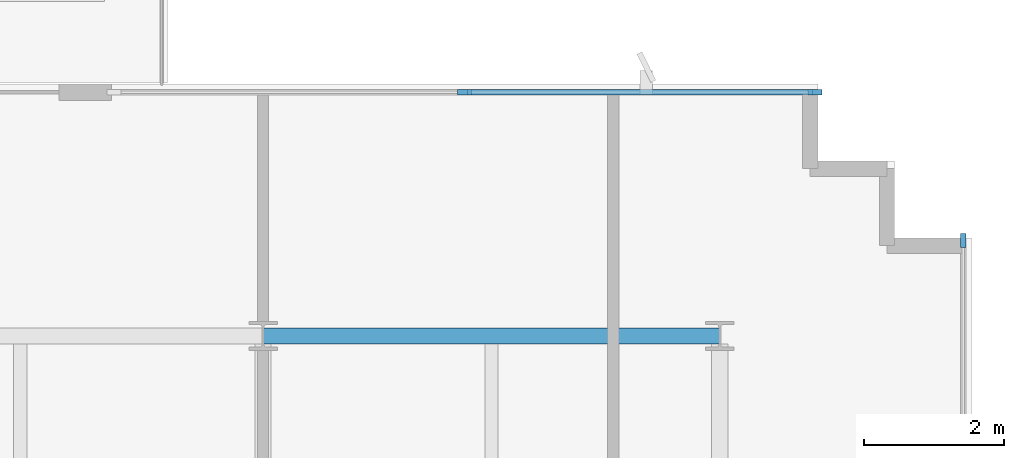
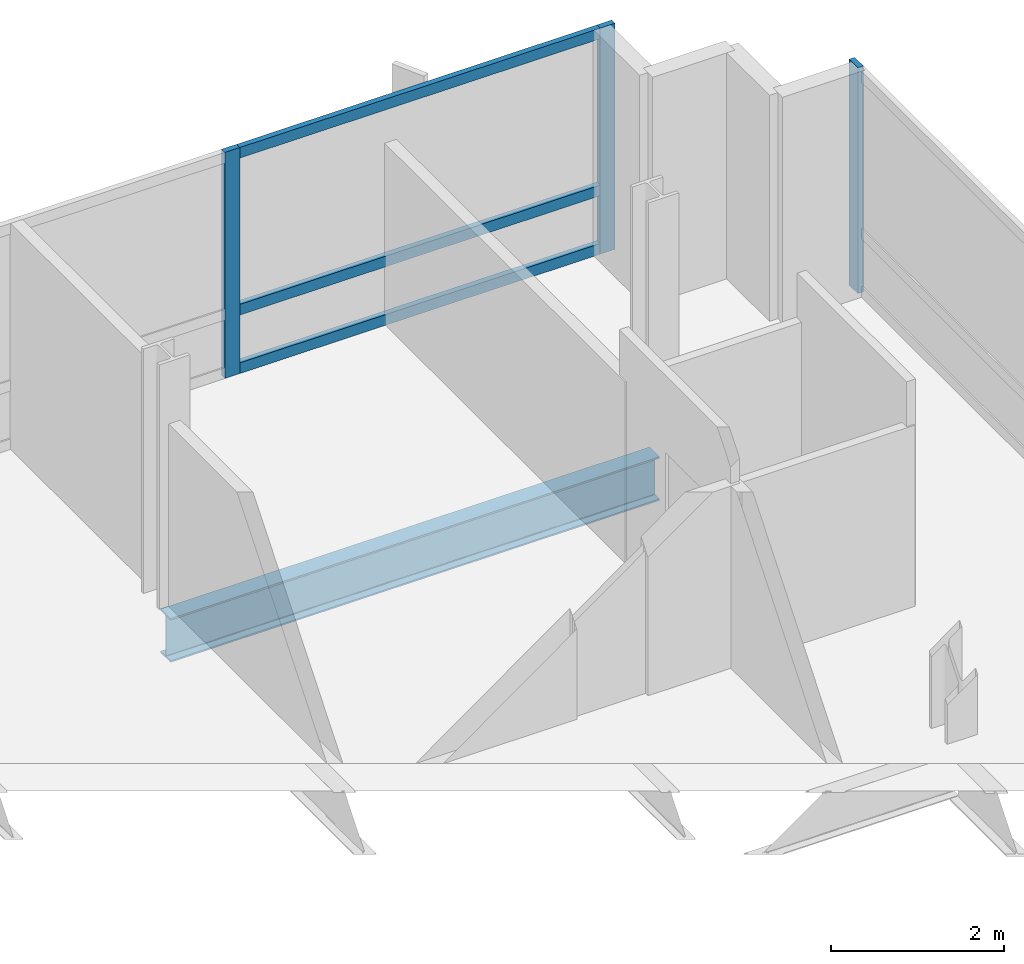
# One storey, part 6 of 14: 6 members, 1 beam, 2 elements without a shape of their own.
"""IFC4 building model written with IfcOpenShell, lengths in metres."""

from ifc_helpers import new_model, si_unit, direction, frame, origin, origin_2d, place, context, subcontext, project, spatial, rectangle, i_section, extrude, material, material_profile, profile_set, type_object, element, aggregate, save


model = new_model("IFC4")

# Units and contexts
model_context = context("Model", 3, precision=1e-05, world=origin(), true_north=direction((0.0, 1.0)))
body_context = subcontext(model_context, "Body", "Model", "MODEL_VIEW")
ifc_project = project(units=[si_unit("LENGTHUNIT", "METRE"), si_unit("AREAUNIT", "SQUARE_METRE"), si_unit("VOLUMEUNIT", "CUBIC_METRE"), si_unit("PLANEANGLEUNIT", "RADIAN"), si_unit("MASSUNIT", "GRAM", prefix="KILO")], contexts=[model_context])

# Site, building, storey
site_placement = place(None, origin())
site = spatial("IfcSite", under=ifc_project, at=site_placement, CompositionType="ELEMENT")
building_placement = place(site_placement, origin())
building = spatial("IfcBuilding", under=site, at=building_placement, Name="Solmavex Isthmus Hotel", CompositionType="ELEMENT")
storey_placement = place(building_placement, frame((0.0, 0.0, 252.300048828125)))
storey = spatial("IfcBuildingStorey", under=building, at=storey_placement, Name="L68", CompositionType="ELEMENT", Elevation=252.300048828125)

# Beam
ifc_material_1 = material(Name="Steel ASTM A992 Grade 50", Category="steel")
ifc_material_profile_1 = material_profile(ifc_material_1, i_section(OverallWidth=0.230224609375, OverallDepth=0.617431640625, WebThickness=0.01318359375, FlangeThickness=0.022216796875, FilletRadius=0.01513671875, at=origin_2d()), Name="W24X94")
ifc_profile_set_1 = profile_set([ifc_material_profile_1], Name="Steel ASTM A992 Grade 50")
beam_type = type_object("IfcBeamType", Name="BM-SP-W24X94", PredefinedType="SPANDREL", material=ifc_profile_set_1)
beam_placement = place(storey_placement, frame((13.8720703125, 17.699951171875, -0.56884765625), z_axis=(1.0, 0.0, 0.0), x_axis=(0.0, 1.0, 0.0)))
element("IfcBeam", 1, at=beam_placement, inside=storey, type_object=beam_type, Name="Floor Girder L68-UG20", PredefinedType="SPANDREL", context=body_context, shape_type="SweptSolid", body=[
    extrude(i_section(OverallWidth=0.230224609375, OverallDepth=0.617431640625, WebThickness=0.01318359375, FlangeThickness=0.022216796875, FilletRadius=0.01513671875, at=origin_2d()), origin(), (0.0, 0.0, 1.0), 6.52783203125),
])

# Curtain wall, members
ifc_material_2 = material(Name="Aluminium alloy 6063-T6", Category="aluminium")
curtain_wall_type = type_object("IfcCurtainWallType", Name="CW-SYS-04", PredefinedType="NOTDEFINED", material=ifc_material_2)
curtain_wall_1_placement = place(storey_placement, origin())
curtain_wall_1 = element("IfcCurtainWall", 2, at=curtain_wall_1_placement, inside=storey, type_object=curtain_wall_type, Name="Stick Curtain Wall CWL-L68-N3", PredefinedType="NOTDEFINED")
ifc_material_profile_2 = material_profile(ifc_material_2, rectangle(XDim=0.074951171875, YDim=0.199951171875, at=origin_2d()), Name="CWM-75X200")
ifc_profile_set_2 = profile_set([ifc_material_profile_2], Name="Aluminium alloy 6063-T6")
member_type_1 = type_object("IfcMemberType", Name="CW-SYS-04-MUL", PredefinedType="MULLION", material=ifc_profile_set_2)
member_1_placement = place(storey_placement, frame((16.751953125, 21.179931640625, 0.0), z_axis=(0.0, 0.0, 1.0), x_axis=(0.0, 1.0, 0.0)))
member_1 = element("IfcMember", 3, at=member_1_placement, type_object=member_type_1, Name="CW-04 mullion 2", PredefinedType="MULLION", context=body_context, shape_type="SweptSolid", body=[
    extrude(rectangle(XDim=0.074951171875, YDim=0.199951171875, at=origin_2d()), origin(), (0.0, 0.0, 1.0), 3.18994140625),
])
member_2_placement = place(storey_placement, frame((21.762451171875, 21.179931640625, 0.0), z_axis=(0.0, 0.0, 1.0), x_axis=(0.0, 1.0, 0.0)))
member_2 = element("IfcMember", 4, at=member_2_placement, type_object=member_type_1, Name="CW-04 mullion 3", PredefinedType="MULLION", context=body_context, shape_type="SweptSolid", body=[
    extrude(rectangle(XDim=0.074951171875, YDim=0.199951171875, at=origin_2d()), origin(), (0.0, 0.0, 1.0), 3.18994140625),
])

# Curtain wall, member
curtain_wall_2_placement = place(storey_placement, origin())
curtain_wall_2 = element("IfcCurtainWall", 5, at=curtain_wall_2_placement, inside=storey, type_object=curtain_wall_type, Name="Stick Curtain Wall CWL-L68-E1", PredefinedType="NOTDEFINED")
member_3_placement = place(storey_placement, frame((23.8798828125, 19.0625, 0.0), z_axis=(0.0, 0.0, 1.0), x_axis=(-1.0, 0.0, 0.0)))
member_3 = element("IfcMember", 6, at=member_3_placement, type_object=member_type_1, Name="CW-04 mullion 6", PredefinedType="MULLION", context=body_context, shape_type="SweptSolid", body=[
    extrude(rectangle(XDim=0.074951171875, YDim=0.199951171875, at=origin_2d()), origin(), (0.0, 0.0, 1.0), 3.18994140625),
])
aggregate(curtain_wall_2, [member_3])

# Member
ifc_material_profile_3 = material_profile(ifc_material_2, rectangle(XDim=0.074951171875, YDim=0.14990234375, at=origin_2d()), Name="CWT-75X150")
ifc_profile_set_3 = profile_set([ifc_material_profile_3], Name="Aluminium alloy 6063-T6")
member_type_2 = type_object("IfcMemberType", Name="CW-SYS-04-TRN", PredefinedType="USERDEFINED", material=ifc_profile_set_3)
member_4_placement = place(storey_placement, frame((16.78955078125, 21.179931640625, 0.074951171875), z_axis=(1.0, 0.0, 0.0), x_axis=(0.0, 1.0, 0.0)))
member_4 = element("IfcMember", 7, at=member_4_placement, type_object=member_type_2, Name="CW-04 transom 2.1", ObjectType="TRANSOM", PredefinedType="USERDEFINED", context=body_context, shape_type="SweptSolid", body=[
    extrude(rectangle(XDim=0.074951171875, YDim=0.14990234375, at=origin_2d()), origin(), (0.0, 0.0, 1.0), 4.935546875),
])

member_5_placement = place(storey_placement, frame((16.78955078125, 21.179931640625, 0.89990234375), z_axis=(1.0, 0.0, 0.0), x_axis=(0.0, 1.0, 0.0)))
member_5 = element("IfcMember", 8, at=member_5_placement, type_object=member_type_2, Name="CW-04 transom 2.2", ObjectType="TRANSOM", PredefinedType="USERDEFINED", context=body_context, shape_type="SweptSolid", body=[
    extrude(rectangle(XDim=0.074951171875, YDim=0.14990234375, at=origin_2d()), origin(), (0.0, 0.0, 1.0), 4.935546875),
])

member_6_placement = place(storey_placement, frame((16.78955078125, 21.179931640625, 3.114990234375), z_axis=(1.0, 0.0, 0.0), x_axis=(0.0, 1.0, 0.0)))
member_6 = element("IfcMember", 9, at=member_6_placement, type_object=member_type_2, Name="CW-04 transom 2.3", ObjectType="TRANSOM", PredefinedType="USERDEFINED", context=body_context, shape_type="SweptSolid", body=[
    extrude(rectangle(XDim=0.074951171875, YDim=0.14990234375, at=origin_2d()), origin(), (0.0, 0.0, 1.0), 4.935546875),
])

aggregate(curtain_wall_1, [member_1, member_2, member_4, member_5, member_6])

save(model, "model.ifc")
